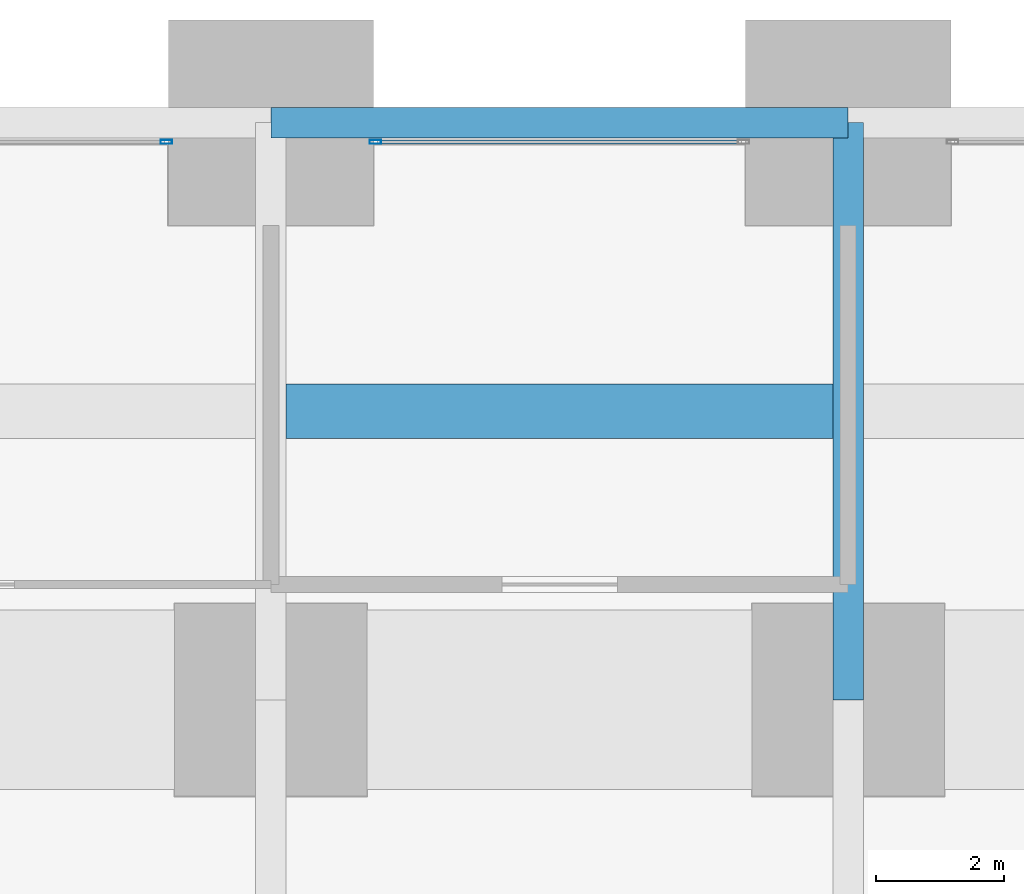
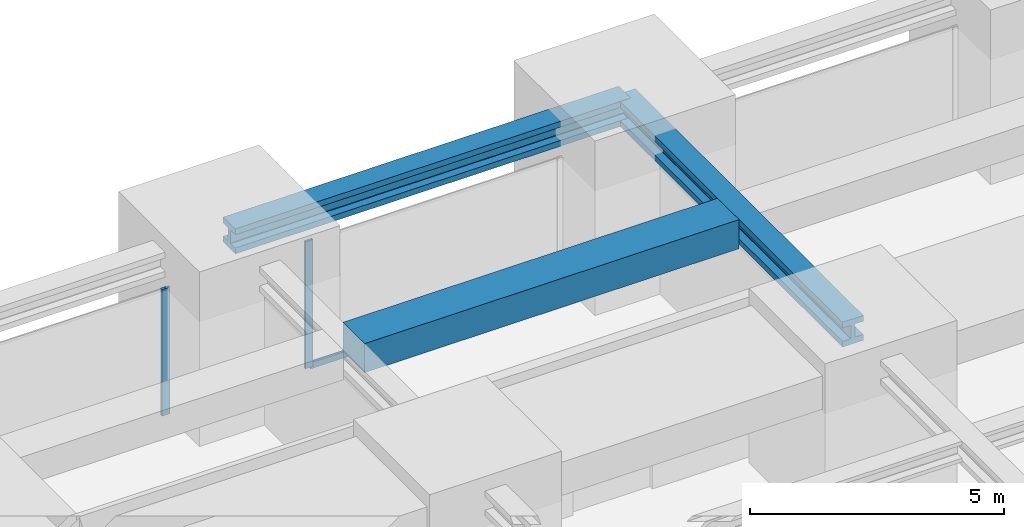
# One storey, part 28 of 42: 3 beams, 3 members, 2 elements without a shape of their own.
"""IFC4 building model written with IfcOpenShell, lengths in metres."""

from ifc_helpers import new_model, si_unit, direction, frame, origin, origin_2d, place, context, subcontext, project, spatial, rectangle, hollow_rectangle, i_section, extrude, material, material_profile, profile_set, type_object, element, aggregate, save


model = new_model("IFC4")

# Units and contexts
model_context = context("Model", 3, precision=1e-05, world=origin(), true_north=direction((0.0, 1.0)))
body_context = subcontext(model_context, "Body", "Model", "MODEL_VIEW")
ifc_project = project(units=[si_unit("LENGTHUNIT", "METRE"), si_unit("AREAUNIT", "SQUARE_METRE"), si_unit("VOLUMEUNIT", "CUBIC_METRE"), si_unit("PLANEANGLEUNIT", "RADIAN"), si_unit("MASSUNIT", "GRAM", prefix="KILO")], contexts=[model_context])

# Site, building, storey
site_placement = place(None, origin())
site = spatial("IfcSite", under=ifc_project, at=site_placement, CompositionType="ELEMENT")
building_placement = place(site_placement, origin())
building = spatial("IfcBuilding", under=site, at=building_placement, Name="Zorevar Civic Tower", CompositionType="ELEMENT")
storey_placement = place(building_placement, frame((0.0, 0.0, 75.800048828125)))
storey = spatial("IfcBuildingStorey", under=building, at=storey_placement, Name="L18", CompositionType="ELEMENT", Elevation=75.800048828125)

# Beams
ifc_material_1 = material(Name="Concrete C50/60", Category="concrete")
ifc_material_profile_1 = material_profile(ifc_material_1, rectangle(XDim=0.85009765625, YDim=0.699951171875, at=origin_2d()), Name="RC 850x700")
ifc_profile_set_1 = profile_set([ifc_material_profile_1], Name="Concrete C50/60")
beam_type_1 = type_object("IfcBeamType", Name="Beam RC 850x700", PredefinedType="BEAM", material=ifc_profile_set_1)
beam_1_placement = place(storey_placement, frame((18.238037109375, 49.5, 3.5), z_axis=(1.0, 0.0, 0.0), x_axis=(0.0, 1.0, 0.0)))
element("IfcBeam", 1, at=beam_1_placement, inside=storey, type_object=beam_type_1, Name="Secondary beam L19", PredefinedType="BEAM", context=body_context, shape_type="SweptSolid", body=[
    extrude(rectangle(XDim=0.85009765625, YDim=0.699951171875, at=origin_2d()), origin(), (0.0, 0.0, 1.0), 8.52392578125),
])
ifc_material_2 = material(Name="Steel S460M (HISTAR 460)", Category="steel")
ifc_material_profile_2 = material_profile(ifc_material_2, i_section(OverallWidth=0.47607421875, OverallDepth=0.60009765625, WebThickness=0.10009765625, FlangeThickness=0.139892578125, FilletRadius=0.014892578125, at=origin_2d()), Name="HD 400x1299")
ifc_profile_set_2 = profile_set([ifc_material_profile_2], Name="Steel S460M (HISTAR 460)")
beam_type_2 = type_object("IfcBeamType", Name="Belt chord HD 400x1299", PredefinedType="BEAM", material=ifc_profile_set_2)
beam_2_placement = place(storey_placement, frame((18.0, 54.0, 3.550048828125), z_axis=(1.0, 0.0, 0.0), x_axis=(0.0, 1.0, 0.0)))
element("IfcBeam", 2, at=beam_2_placement, inside=storey, type_object=beam_type_2, Name="Belt chord L19", PredefinedType="BEAM", context=body_context, shape_type="SweptSolid", body=[
    extrude(i_section(OverallWidth=0.47607421875, OverallDepth=0.60009765625, WebThickness=0.10009765625, FlangeThickness=0.139892578125, FilletRadius=0.014892578125, at=origin_2d()), origin(), (0.0, 0.0, 1.0), 9.0),
])

# Curtain wall, member
ifc_material_3 = material(Name="Dark grey solar-control glass in black aluminium frame", Category="aluminium")
curtain_wall_type = type_object("IfcCurtainWallType", Name="Curtain wall CW2 low zone", PredefinedType="NOTDEFINED", material=ifc_material_3)
curtain_wall_1_placement = place(storey_placement, origin())
curtain_wall_1 = element("IfcCurtainWall", 3, at=curtain_wall_1_placement, inside=storey, type_object=curtain_wall_type, Name="CW2 L18", PredefinedType="NOTDEFINED")
ifc_material_4 = material(Name="Aluminium, black anodised", Category="aluminium")
ifc_material_profile_3 = material_profile(ifc_material_4, hollow_rectangle(XDim=0.06005859375, YDim=0.179931640625, WallThickness=0.00390625, at=origin_2d()), Name="AL 180x60x4")
ifc_profile_set_3 = profile_set([ifc_material_profile_3], Name="Aluminium, black anodised")
member_type_1 = type_object("IfcMemberType", Name="CW2 mullion AL 180x60x4", PredefinedType="MULLION", material=ifc_profile_set_3)
member_1_placement = place(storey_placement, frame((16.3701171875, 53.699951171875, 0.0), z_axis=(0.0, 0.0, 1.0), x_axis=(0.0, 1.0, 0.0)))
member_1 = element("IfcMember", 4, at=member_1_placement, type_object=member_type_1, Name="CW2 mullion 2", PredefinedType="MULLION", context=body_context, shape_type="SweptSolid", body=[
    extrude(hollow_rectangle(XDim=0.06005859375, YDim=0.179931640625, WallThickness=0.00390625, at=origin_2d()), origin(), (0.0, 0.0, 1.0), 3.050048828125),
])
aggregate(curtain_wall_1, [member_1])

# Curtain wall, members
curtain_wall_2_placement = place(storey_placement, origin())
curtain_wall_2 = element("IfcCurtainWall", 5, at=curtain_wall_2_placement, inside=storey, type_object=curtain_wall_type, Name="CW2 L18", PredefinedType="NOTDEFINED")
member_2_placement = place(storey_placement, frame((19.6298828125, 53.699951171875, 0.0), z_axis=(0.0, 0.0, 1.0), x_axis=(0.0, 1.0, 0.0)))
member_2 = element("IfcMember", 6, at=member_2_placement, type_object=member_type_1, Name="CW2 mullion 1", PredefinedType="MULLION", context=body_context, shape_type="SweptSolid", body=[
    extrude(hollow_rectangle(XDim=0.06005859375, YDim=0.179931640625, WallThickness=0.00390625, at=origin_2d()), origin(), (0.0, 0.0, 1.0), 3.050048828125),
])
ifc_material_5 = material(Name="Aluminium, black anodised", Category="aluminium")
ifc_material_profile_4 = material_profile(ifc_material_5, hollow_rectangle(XDim=0.06005859375, YDim=0.14990234375, WallThickness=0.00390625, at=origin_2d()), Name="AL 150x60x4")
ifc_profile_set_4 = profile_set([ifc_material_profile_4], Name="Aluminium, black anodised")
member_type_2 = type_object("IfcMemberType", Name="CW2 transom AL 150x60x4", PredefinedType="USERDEFINED", material=ifc_profile_set_4)
member_3_placement = place(storey_placement, frame((19.659912109375, 53.699951171875, 0.030029296875), z_axis=(1.0, 0.0, 0.0), x_axis=(0.0, 1.0, 0.0)))
member_3 = element("IfcMember", 7, at=member_3_placement, type_object=member_type_2, Name="CW2 sill transom", ObjectType="TRANSOM", PredefinedType="USERDEFINED", context=body_context, shape_type="SweptSolid", body=[
    extrude(hollow_rectangle(XDim=0.06005859375, YDim=0.14990234375, WallThickness=0.00390625, at=origin_2d()), origin(), (0.0, 0.0, 1.0), 5.68017578125),
])
aggregate(curtain_wall_2, [member_2, member_3])

# Beam
ifc_material_6 = material(Name="Steel S460M (HISTAR 460)", Category="steel")
ifc_material_profile_5 = material_profile(ifc_material_6, i_section(OverallWidth=0.47607421875, OverallDepth=0.60009765625, WebThickness=0.10009765625, FlangeThickness=0.139892578125, FilletRadius=0.014892578125, at=origin_2d()), Name="HD 400x1299")
ifc_profile_set_5 = profile_set([ifc_material_profile_5], Name="Steel S460M (HISTAR 460)")
beam_type_3 = type_object("IfcBeamType", Name="Outrigger chord HD 400x1299", PredefinedType="BEAM", material=ifc_profile_set_5)
beam_3_placement = place(storey_placement, frame((27.0, 45.0, 3.550048828125), z_axis=(0.0, 1.0, 0.0), x_axis=(-1.0, 0.0, 0.0)))
element("IfcBeam", 8, at=beam_3_placement, inside=storey, type_object=beam_type_3, Name="Outrigger chord L19", PredefinedType="BEAM", context=body_context, shape_type="SweptSolid", body=[
    extrude(i_section(OverallWidth=0.47607421875, OverallDepth=0.60009765625, WebThickness=0.10009765625, FlangeThickness=0.139892578125, FilletRadius=0.014892578125, at=origin_2d()), origin(), (0.0, 0.0, 1.0), 9.0),
])

save(model, "model.ifc")
